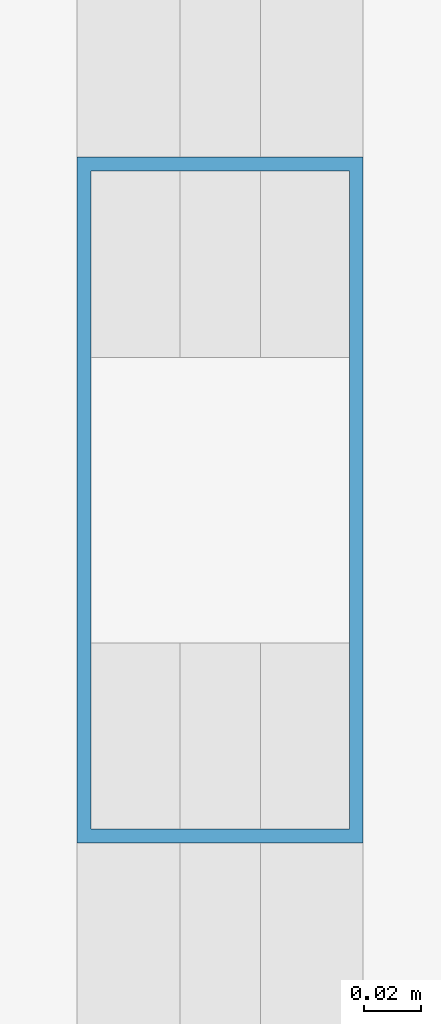
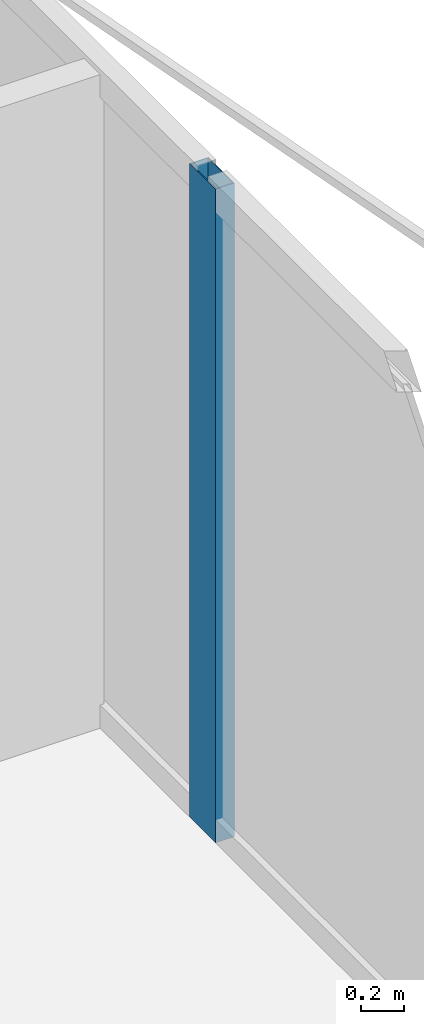
# One storey, part 15 of 32: 1 member, 1 element without a shape of its own.
"""IFC4 building model written with IfcOpenShell, lengths in metres."""

from ifc_helpers import new_model, si_unit, direction, frame, origin, origin_2d, place, context, subcontext, project, spatial, hollow_rectangle, extrude, material, layer, layer_set, material_profile, profile_set, type_object, element, aggregate, save


model = new_model("IFC4")

# Units and contexts
model_context = context("Model", 3, precision=1e-05, world=origin(), true_north=direction((0.0, 1.0)))
body_context = subcontext(model_context, "Body", "Model", "MODEL_VIEW")
ifc_project = project(units=[si_unit("LENGTHUNIT", "METRE"), si_unit("AREAUNIT", "SQUARE_METRE"), si_unit("VOLUMEUNIT", "CUBIC_METRE"), si_unit("PLANEANGLEUNIT", "RADIAN"), si_unit("MASSUNIT", "GRAM", prefix="KILO")], contexts=[model_context])

# Site, building, storey
site_placement = place(None, origin())
site = spatial("IfcSite", under=ifc_project, at=site_placement, CompositionType="ELEMENT")
building_placement = place(site_placement, origin())
building = spatial("IfcBuilding", under=site, at=building_placement, Name="Khorvyn Point Tower", CompositionType="ELEMENT")
storey_placement = place(building_placement, frame((0.0, 0.0, 93.0)))
storey = spatial("IfcBuildingStorey", under=building, at=storey_placement, Name="L23", CompositionType="ELEMENT", Elevation=93.0)

# Curtain wall, member
ifc_material_1 = material(Name="Anodised aluminium 6063-T6 and laminated Low-E glass", Category="aluminium")
ifc_layer = layer(ifc_material_1, 0.18994140625)
ifc_layer_set = layer_set([ifc_layer], Name="Stick-Built Finned Residential Curtain Wall CW-SYS-02")
curtain_wall_type = type_object("IfcCurtainWallType", Name="Stick-Built Finned Residential Curtain Wall CW-SYS-02", PredefinedType="NOTDEFINED", material=ifc_layer_set)
curtain_wall_placement = place(storey_placement, origin())
curtain_wall = element("IfcCurtainWall", 1, at=curtain_wall_placement, inside=storey, type_object=curtain_wall_type, Name="Curtain Wall", PredefinedType="NOTDEFINED")
ifc_material_2 = material(Name="Anodised aluminium 6063-T6", Category="aluminium")
ifc_material_profile = material_profile(ifc_material_2, hollow_rectangle(XDim=0.10009765625, YDim=0.239990234375, WallThickness=0.0048828125, at=origin_2d()))
ifc_profile_set = profile_set([ifc_material_profile], Name="Anodised aluminium 6063-T6 ALU-MUL-100x240")
member_type = type_object("IfcMemberType", Name="Anodised Aluminium 6063-T6 Mullion ALU-MUL-100x240", PredefinedType="MULLION", material=ifc_profile_set)
member_placement = place(storey_placement, frame((22.14990234375, 11.1201171875, 0.0), z_axis=(0.0, 0.0, 1.0), x_axis=(1.0, 0.0, 0.0)))
member = element("IfcMember", 2, at=member_placement, type_object=member_type, Name="Transom", PredefinedType="MULLION", context=body_context, shape_type="SweptSolid", body=[
    extrude(hollow_rectangle(XDim=0.10009765625, YDim=0.239990234375, WallThickness=0.0048828125, at=origin_2d()), origin(), (0.0, 0.0, 1.0), 3.679931640625),
])
aggregate(curtain_wall, [member])

save(model, "model.ifc")
